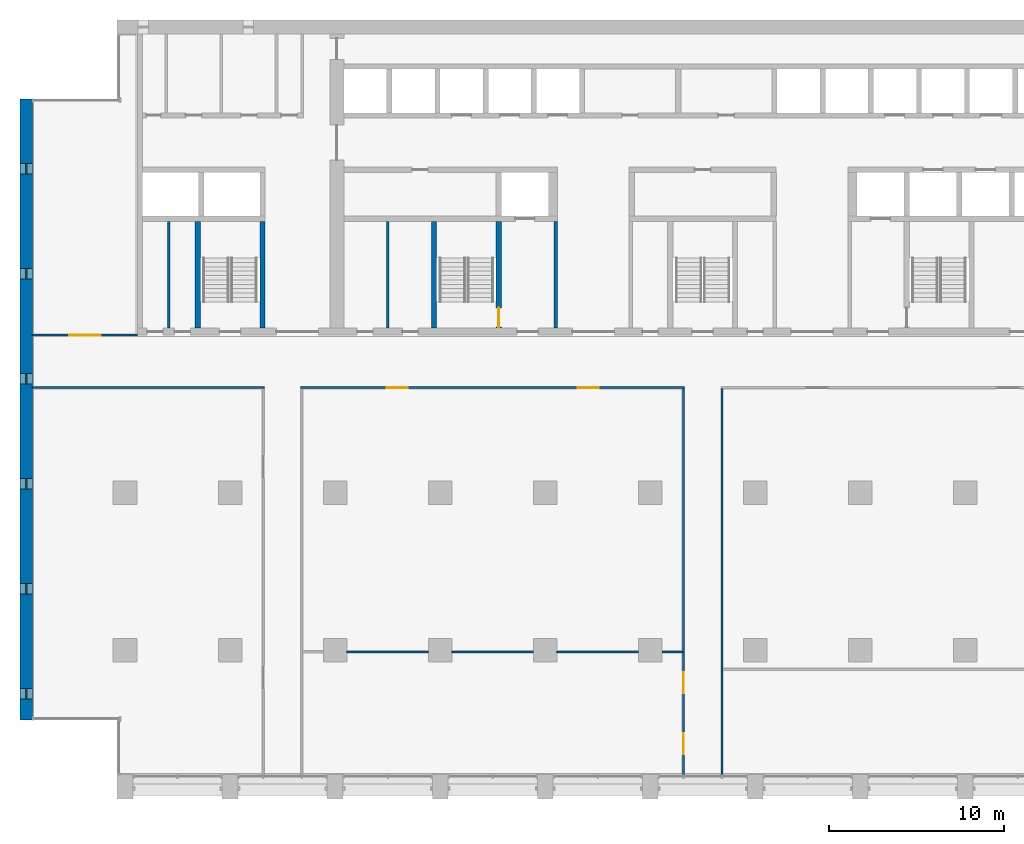
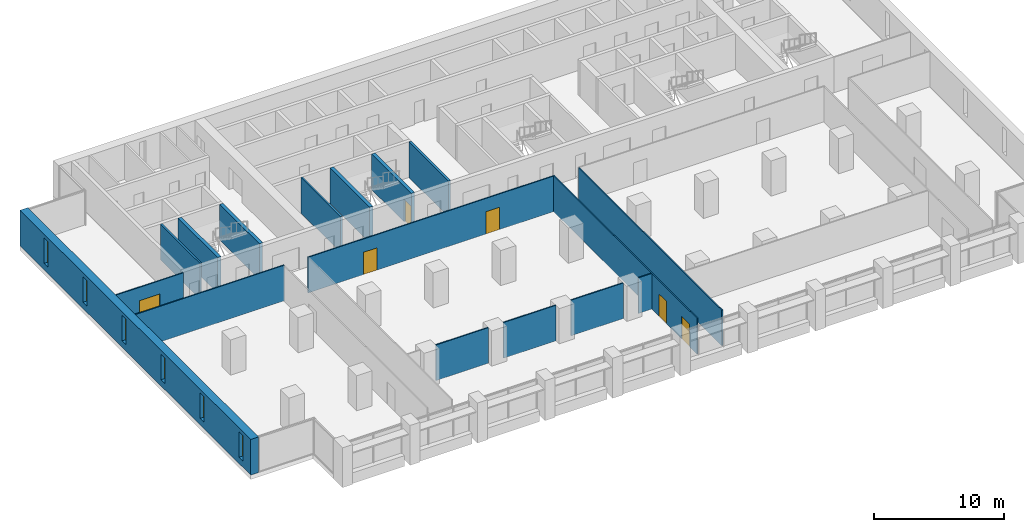
# One storey, part 8 of 15: 17 walls, 6 doors, 6 windows, 12 openings.
"""IFC4 building model written with IfcOpenShell, lengths in metres."""

from ifc_helpers import new_model, si_unit, direction, frame, frame_2d, origin, place, context, subcontext, project, spatial, rectangle, extrude, material, layer, layer_set, type_object, element, fill, save


model = new_model("IFC4")

# Units and contexts
model_context = context("Model", 3, precision=1e-05, world=origin(), true_north=direction((0.0, 1.0)))
body_context = subcontext(model_context, "Body", "Model", "MODEL_VIEW")
ifc_project = project(units=[si_unit("LENGTHUNIT", "METRE"), si_unit("AREAUNIT", "SQUARE_METRE"), si_unit("VOLUMEUNIT", "CUBIC_METRE"), si_unit("PLANEANGLEUNIT", "RADIAN"), si_unit("MASSUNIT", "GRAM", prefix="KILO")], contexts=[model_context])

# Site, building, storey
site_placement = place(None, origin())
site = spatial("IfcSite", under=ifc_project, at=site_placement, CompositionType="ELEMENT")
building_placement = place(site_placement, origin())
building = spatial("IfcBuilding", under=site, at=building_placement, Name="Calvaro Tower", CompositionType="ELEMENT")
storey_placement = place(building_placement, frame((0.0, 0.0, 117.5)))
storey = spatial("IfcBuildingStorey", under=building, at=storey_placement, Name="L29", CompositionType="ELEMENT", Elevation=117.5)

# Walls
ifc_material_1 = material(Name="Blockwork partition", Category="masonry")
ifc_layer_1 = layer(ifc_material_1, 0.14990234375)
ifc_layer_set_1 = layer_set([ifc_layer_1], Name="Blockwork partition")
wall_type_1 = type_object("IfcWallType", Name="Core partition 150 EI 60", PredefinedType="PARTITIONING", material=ifc_layer_set_1)
wall_1_placement = place(storey_placement, frame((21.0, 28.39990234375, 0.0), z_axis=(0.0, 0.0, 1.0), x_axis=(0.0, 1.0, 0.0)))
element("IfcWall", 1, at=wall_1_placement, inside=storey, type_object=wall_type_1, Name="Core partition", PredefinedType="PARTITIONING", context=body_context, shape_type="SweptSolid", body=[
    extrude(rectangle(XDim=6.10009765625, YDim=0.14990234375, at=frame_2d((3.050048828125, 0.0))), origin(), (0.0, 0.0, 1.0), 3.35009765625),
])
ifc_material_2 = material(Name="Blockwork partition", Category="masonry")
ifc_layer_2 = layer(ifc_material_2, 0.14990234375)
ifc_layer_set_2 = layer_set([ifc_layer_2], Name="Blockwork partition")
wall_type_2 = type_object("IfcWallType", Name="Core partition 150 REI 120", PredefinedType="PARTITIONING", material=ifc_layer_set_2)
wall_2_placement = place(storey_placement, frame((8.5, 28.39990234375, 0.0), z_axis=(0.0, 0.0, 1.0), x_axis=(0.0, 1.0, 0.0)))
element("IfcWall", 2, at=wall_2_placement, inside=storey, type_object=wall_type_2, Name="Core partition", PredefinedType="PARTITIONING", context=body_context, shape_type="SweptSolid", body=[
    extrude(rectangle(XDim=6.10009765625, YDim=0.14990234375, at=frame_2d((3.050048828125, 0.0))), origin(), (0.0, 0.0, 1.0), 3.35009765625),
])
ifc_material_3 = material(Name="Blockwork partition", Category="masonry")
ifc_layer_3 = layer(ifc_material_3, 0.199951171875)
ifc_layer_set_3 = layer_set([ifc_layer_3], Name="Blockwork partition")
wall_type_3 = type_object("IfcWallType", Name="Core partition 200 REI 120", PredefinedType="PARTITIONING", material=ifc_layer_set_3)
wall_3_placement = place(storey_placement, frame((30.60009765625, 28.39990234375, 0.0), z_axis=(0.0, 0.0, 1.0), x_axis=(0.0, 1.0, 0.0)))
element("IfcWall", 3, at=wall_3_placement, inside=storey, type_object=wall_type_3, Name="Core partition", PredefinedType="PARTITIONING", context=body_context, shape_type="SweptSolid", body=[
    extrude(rectangle(XDim=6.10009765625, YDim=0.199951171875, at=frame_2d((3.050048828125, 0.0))), origin(), (0.0, 0.0, 1.0), 3.35009765625),
])
ifc_material_4 = material(Name="Concrete C60/75", Category="concrete")
ifc_layer_4 = layer(ifc_material_4, 0.300048828125)
ifc_layer_set_4 = layer_set([ifc_layer_4], Name="Concrete C60/75")
wall_type_4 = type_object("IfcWallType", Name="Core wall C60/75 300", PredefinedType="SHEAR", material=ifc_layer_set_4)
for number, where, z_axis, x_axis, name in (
    (4, (10.14990234375, 28.39990234375, 0.0), (0.0, 0.0, 1.0), (0.0, 1.0, 0.0), "Core wall, stair enclosure"),
    (5, (13.85009765625, 28.39990234375, 0.0), (0.0, 0.0, 1.0), (0.0, 1.0, 0.0), "Core wall, stair enclosure"),
    (6, (23.64990234375, 28.39990234375, 0.0), (0.0, 0.0, 1.0), (0.0, 1.0, 0.0), "Core wall, stair enclosure"),
):
    element("IfcWall", number, at=place(storey_placement, frame(where, z_axis=z_axis, x_axis=x_axis)), inside=storey, type_object=wall_type_4, Name=name, PredefinedType="SHEAR", context=body_context, shape_type="SweptSolid", body=[
        extrude(rectangle(XDim=6.10009765625, YDim=0.300048828125, at=frame_2d((3.050048828125, 0.0))), origin(), (0.0, 0.0, 1.0), 3.35009765625),
    ])

# Wall, opening, door
wall_4_placement = place(storey_placement, frame((27.35009765625, 28.39990234375, 0.0), z_axis=(0.0, 0.0, 1.0), x_axis=(0.0, 1.0, 0.0)))
wall_4 = element("IfcWall", 7, at=wall_4_placement, inside=storey, type_object=wall_type_4, Name="Core wall, stair enclosure", PredefinedType="SHEAR", context=body_context, shape_type="SweptSolid", body=[
    extrude(rectangle(XDim=6.10009765625, YDim=0.300048828125, at=frame_2d((3.050048828125, 0.0))), origin(), (0.0, 0.0, 1.0), 3.35009765625),
])
opening_1_placement = place(wall_4_placement, frame((0.050048828125, 0.0, 0.0)))
opening_1 = element("IfcOpeningElement", 8, at=opening_1_placement, cuts=wall_4, Name="Opening FD11D", PredefinedType="OPENING", context=body_context, shape_type="SweptSolid", body=[
    extrude(rectangle(XDim=1.10009765625, YDim=2.10009765625, at=frame_2d((0.550048828125, 1.050048828125))), frame((0.0, 0.159912109375, 0.0), z_axis=(0.0, -1.0, 0.0), x_axis=(1.0, 0.0, 0.0)), (0.0, 0.0, 1.0), 0.320068359375),
])
ifc_material_5 = material(Name="Steel door set", Category="steel")
door_type_1 = type_object("IfcDoorType", Name="Fire door 1100 FD30S", OperationType="SINGLE_SWING_LEFT", PredefinedType="DOOR", material=ifc_material_5)
door_1_placement = place(opening_1_placement, origin())
door_1 = element("IfcDoor", 9, at=door_1_placement, inside=storey, type_object=door_type_1, Name="Fire door", OperationType="SINGLE_SWING_LEFT", OverallHeight=2.10009765625, OverallWidth=1.10009765625, PredefinedType="DOOR", context=body_context, shape_type="SweptSolid", body=[
    extrude(rectangle(XDim=1.10009765625, YDim=2.10009765625, at=frame_2d((0.550048828125, 1.050048828125))), frame((0.0, 0.02490234375, 0.0), z_axis=(0.0, -1.0, 0.0), x_axis=(1.0, 0.0, 0.0)), (0.0, 0.0, 1.0), 0.050048828125),
])
fill(opening_1, door_1)

# Wall, openings, windows
ifc_material_6 = material(Name="Concrete C60/75", Category="concrete")
ifc_layer_5 = layer(ifc_material_6, 0.699951171875)
ifc_layer_set_5 = layer_set([ifc_layer_5], Name="Concrete C60/75")
wall_type_5 = type_object("IfcWallType", Name="End wall 700 C60/75", PredefinedType="SHEAR", material=ifc_layer_set_5)
wall_5_placement = place(storey_placement, frame((0.35009765625, 6.0, 0.0), z_axis=(0.0, 0.0, 1.0), x_axis=(0.0, 1.0, 0.0)))
wall_5 = element("IfcWall", 10, at=wall_5_placement, inside=storey, type_object=wall_type_5, Name="End shear wall", PredefinedType="SHEAR", context=body_context, shape_type="SweptSolid", body=[
    extrude(rectangle(XDim=35.5, YDim=0.699951171875, at=frame_2d((17.75, 0.0))), origin(), (0.0, 0.0, 1.0), 3.35009765625),
])
opening_2_placement = place(wall_5_placement, frame((1.199951171875, 0.0, 0.60009765625)))
opening_2 = element("IfcOpeningElement", 11, at=opening_2_placement, cuts=wall_5, Name="Opening WW01", PredefinedType="OPENING", context=body_context, shape_type="SweptSolid", body=[
    extrude(rectangle(XDim=0.60009765625, YDim=2.39990234375, at=frame_2d((0.300048828125, 1.199951171875))), frame((0.0, 0.35986328125, 0.0), z_axis=(0.0, -1.0, 0.0), x_axis=(1.0, 0.0, 0.0)), (0.0, 0.0, 1.0), 0.719970703125),
])
opening_3_placement = place(wall_5_placement, frame((7.199951171875, 0.0, 0.60009765625)))
opening_3 = element("IfcOpeningElement", 12, at=opening_3_placement, cuts=wall_5, Name="Opening WW02", PredefinedType="OPENING", context=body_context, shape_type="SweptSolid", body=[
    extrude(rectangle(XDim=0.60009765625, YDim=2.39990234375, at=frame_2d((0.300048828125, 1.199951171875))), frame((0.0, 0.35986328125, 0.0), z_axis=(0.0, -1.0, 0.0), x_axis=(1.0, 0.0, 0.0)), (0.0, 0.0, 1.0), 0.719970703125),
])
opening_4_placement = place(wall_5_placement, frame((13.199951171875, 0.0, 0.60009765625)))
opening_4 = element("IfcOpeningElement", 13, at=opening_4_placement, cuts=wall_5, Name="Opening WW03", PredefinedType="OPENING", context=body_context, shape_type="SweptSolid", body=[
    extrude(rectangle(XDim=0.60009765625, YDim=2.39990234375, at=frame_2d((0.300048828125, 1.199951171875))), frame((0.0, 0.35986328125, 0.0), z_axis=(0.0, -1.0, 0.0), x_axis=(1.0, 0.0, 0.0)), (0.0, 0.0, 1.0), 0.719970703125),
])
opening_5_placement = place(wall_5_placement, frame((19.199951171875, 0.0, 0.60009765625)))
opening_5 = element("IfcOpeningElement", 14, at=opening_5_placement, cuts=wall_5, Name="Opening WW04", PredefinedType="OPENING", context=body_context, shape_type="SweptSolid", body=[
    extrude(rectangle(XDim=0.60009765625, YDim=2.39990234375, at=frame_2d((0.300048828125, 1.199951171875))), frame((0.0, 0.35986328125, 0.0), z_axis=(0.0, -1.0, 0.0), x_axis=(1.0, 0.0, 0.0)), (0.0, 0.0, 1.0), 0.719970703125),
])
opening_6_placement = place(wall_5_placement, frame((25.199951171875, 0.0, 0.60009765625)))
opening_6 = element("IfcOpeningElement", 15, at=opening_6_placement, cuts=wall_5, Name="Opening WW05", PredefinedType="OPENING", context=body_context, shape_type="SweptSolid", body=[
    extrude(rectangle(XDim=0.60009765625, YDim=2.39990234375, at=frame_2d((0.300048828125, 1.199951171875))), frame((0.0, 0.35986328125, 0.0), z_axis=(0.0, -1.0, 0.0), x_axis=(1.0, 0.0, 0.0)), (0.0, 0.0, 1.0), 0.719970703125),
])
opening_7_placement = place(wall_5_placement, frame((31.199951171875, 0.0, 0.60009765625)))
opening_7 = element("IfcOpeningElement", 16, at=opening_7_placement, cuts=wall_5, Name="Opening WW06", PredefinedType="OPENING", context=body_context, shape_type="SweptSolid", body=[
    extrude(rectangle(XDim=0.60009765625, YDim=2.39990234375, at=frame_2d((0.300048828125, 1.199951171875))), frame((0.0, 0.35986328125, 0.0), z_axis=(0.0, -1.0, 0.0), x_axis=(1.0, 0.0, 0.0)), (0.0, 0.0, 1.0), 0.719970703125),
])
ifc_material_7 = material(Name="Glass", Category="glass")
window_type = type_object("IfcWindowType", Name="Slit window 600 x 2400", PartitioningType="SINGLE_PANEL", PredefinedType="WINDOW", material=ifc_material_7)
window_1_placement = place(opening_2_placement, origin())
window_1 = element("IfcWindow", 17, at=window_1_placement, inside=storey, type_object=window_type, Name="Window WW01", OverallHeight=2.39990234375, OverallWidth=0.60009765625, PartitioningType="SINGLE_PANEL", PredefinedType="WINDOW", context=body_context, shape_type="SweptSolid", body=[
    extrude(rectangle(XDim=0.60009765625, YDim=2.39990234375, at=frame_2d((0.300048828125, 1.199951171875))), frame((0.0, 0.030029296875, 0.0), z_axis=(0.0, -1.0, 0.0), x_axis=(1.0, 0.0, 0.0)), (0.0, 0.0, 1.0), 0.06005859375),
])
fill(opening_2, window_1)
window_2_placement = place(opening_3_placement, origin())
window_2 = element("IfcWindow", 18, at=window_2_placement, inside=storey, type_object=window_type, Name="Window WW02", OverallHeight=2.39990234375, OverallWidth=0.60009765625, PartitioningType="SINGLE_PANEL", PredefinedType="WINDOW", context=body_context, shape_type="SweptSolid", body=[
    extrude(rectangle(XDim=0.60009765625, YDim=2.39990234375, at=frame_2d((0.300048828125, 1.199951171875))), frame((0.0, 0.030029296875, 0.0), z_axis=(0.0, -1.0, 0.0), x_axis=(1.0, 0.0, 0.0)), (0.0, 0.0, 1.0), 0.06005859375),
])
fill(opening_3, window_2)
window_3_placement = place(opening_4_placement, origin())
window_3 = element("IfcWindow", 19, at=window_3_placement, inside=storey, type_object=window_type, Name="Window WW03", OverallHeight=2.39990234375, OverallWidth=0.60009765625, PartitioningType="SINGLE_PANEL", PredefinedType="WINDOW", context=body_context, shape_type="SweptSolid", body=[
    extrude(rectangle(XDim=0.60009765625, YDim=2.39990234375, at=frame_2d((0.300048828125, 1.199951171875))), frame((0.0, 0.030029296875, 0.0), z_axis=(0.0, -1.0, 0.0), x_axis=(1.0, 0.0, 0.0)), (0.0, 0.0, 1.0), 0.06005859375),
])
fill(opening_4, window_3)
window_4_placement = place(opening_5_placement, origin())
window_4 = element("IfcWindow", 20, at=window_4_placement, inside=storey, type_object=window_type, Name="Window WW04", OverallHeight=2.39990234375, OverallWidth=0.60009765625, PartitioningType="SINGLE_PANEL", PredefinedType="WINDOW", context=body_context, shape_type="SweptSolid", body=[
    extrude(rectangle(XDim=0.60009765625, YDim=2.39990234375, at=frame_2d((0.300048828125, 1.199951171875))), frame((0.0, 0.030029296875, 0.0), z_axis=(0.0, -1.0, 0.0), x_axis=(1.0, 0.0, 0.0)), (0.0, 0.0, 1.0), 0.06005859375),
])
fill(opening_5, window_4)
window_5_placement = place(opening_6_placement, origin())
window_5 = element("IfcWindow", 21, at=window_5_placement, inside=storey, type_object=window_type, Name="Window WW05", OverallHeight=2.39990234375, OverallWidth=0.60009765625, PartitioningType="SINGLE_PANEL", PredefinedType="WINDOW", context=body_context, shape_type="SweptSolid", body=[
    extrude(rectangle(XDim=0.60009765625, YDim=2.39990234375, at=frame_2d((0.300048828125, 1.199951171875))), frame((0.0, 0.030029296875, 0.0), z_axis=(0.0, -1.0, 0.0), x_axis=(1.0, 0.0, 0.0)), (0.0, 0.0, 1.0), 0.06005859375),
])
fill(opening_6, window_5)
window_6_placement = place(opening_7_placement, origin())
window_6 = element("IfcWindow", 22, at=window_6_placement, inside=storey, type_object=window_type, Name="Window WW06", OverallHeight=2.39990234375, OverallWidth=0.60009765625, PartitioningType="SINGLE_PANEL", PredefinedType="WINDOW", context=body_context, shape_type="SweptSolid", body=[
    extrude(rectangle(XDim=0.60009765625, YDim=2.39990234375, at=frame_2d((0.300048828125, 1.199951171875))), frame((0.0, 0.030029296875, 0.0), z_axis=(0.0, -1.0, 0.0), x_axis=(1.0, 0.0, 0.0)), (0.0, 0.0, 1.0), 0.06005859375),
])
fill(opening_7, window_6)

# Walls
ifc_material_8 = material(Name="Plasterboard on steel studs", Category="steel")
ifc_layer_6 = layer(ifc_material_8, 0.10009765625)
ifc_layer_set_6 = layer_set([ifc_layer_6], Name="Plasterboard on steel studs")
wall_type_6 = type_object("IfcWallType", Name="Partition 100", PredefinedType="PARTITIONING", material=ifc_layer_set_6)
wall_6_placement = place(storey_placement, frame((36.675048828125, 9.89990234375, 0.0), z_axis=(0.0, 0.0, 1.0), x_axis=(1.0, 0.0, 0.0)))
element("IfcWall", 23, at=wall_6_placement, inside=storey, type_object=wall_type_6, Name="Partition T18.W002", PredefinedType="PARTITIONING", context=body_context, shape_type="SweptSolid", body=[
    extrude(rectangle(XDim=1.175048828125, YDim=0.10009765625, at=frame_2d((0.58740234375, 0.0))), origin(), (0.0, 0.0, 1.0), 3.35009765625),
])
for number, where, z_axis, x_axis, name in (
    (24, (30.675048828125, 9.89990234375, 0.0), (0.0, 0.0, 1.0), (1.0, 0.0, 0.0), "Partition T18.W003"),
    (25, (24.675048828125, 9.89990234375, 0.0), (0.0, 0.0, 1.0), (1.0, 0.0, 0.0), "Partition T18.W004"),
    (26, (18.675048828125, 9.89990234375, 0.0), (0.0, 0.0, 1.0), (1.0, 0.0, 0.0), "Partition T18.W005"),
):
    element("IfcWall", number, at=place(storey_placement, frame(where, z_axis=z_axis, x_axis=x_axis)), inside=storey, type_object=wall_type_6, Name=name, PredefinedType="PARTITIONING", context=body_context, shape_type="SweptSolid", body=[
        extrude(rectangle(XDim=4.64990234375, YDim=0.10009765625, at=frame_2d((2.324951171875, 0.0))), origin(), (0.0, 0.0, 1.0), 3.35009765625),
    ])
wall_7_placement = place(storey_placement, frame((0.699951171875, 25.0, 0.0), z_axis=(0.0, 0.0, 1.0), x_axis=(1.0, 0.0, 0.0)))
element("IfcWall", 27, at=wall_7_placement, inside=storey, type_object=wall_type_6, Name="Partition T18.W007", PredefinedType="PARTITIONING", context=body_context, shape_type="SweptSolid", body=[
    extrude(rectangle(XDim=13.25, YDim=0.10009765625, at=frame_2d((6.625, 0.0))), origin(), (0.0, 0.0, 1.0), 3.35009765625),
])

# Wall, openings, doors
wall_8_placement = place(storey_placement, frame((16.050048828125, 25.0, 0.0), z_axis=(0.0, 0.0, 1.0), x_axis=(1.0, 0.0, 0.0)))
wall_8 = element("IfcWall", 28, at=wall_8_placement, inside=storey, type_object=wall_type_6, Name="Partition T18.W008", PredefinedType="PARTITIONING", context=body_context, shape_type="SweptSolid", body=[
    extrude(rectangle(XDim=21.89990234375, YDim=0.10009765625, at=frame_2d((10.949951171875, 0.0))), origin(), (0.0, 0.0, 1.0), 3.35009765625),
])
opening_8_placement = place(wall_8_placement, frame((4.89990234375, 0.0, 0.0)))
opening_8 = element("IfcOpeningElement", 29, at=opening_8_placement, cuts=wall_8, Name="Opening T18.009", PredefinedType="OPENING", context=body_context, shape_type="SweptSolid", body=[
    extrude(rectangle(XDim=1.199951171875, YDim=2.10009765625, at=frame_2d((0.60009765625, 1.050048828125))), frame((0.0, 0.06005859375, 0.0), z_axis=(0.0, -1.0, 0.0), x_axis=(1.0, 0.0, 0.0)), (0.0, 0.0, 1.0), 0.1201171875),
])
opening_9_placement = place(wall_8_placement, frame((15.800048828125, 0.0, 0.0)))
opening_9 = element("IfcOpeningElement", 30, at=opening_9_placement, cuts=wall_8, Name="Opening T18.010", PredefinedType="OPENING", context=body_context, shape_type="SweptSolid", body=[
    extrude(rectangle(XDim=1.199951171875, YDim=2.10009765625, at=frame_2d((0.60009765625, 1.050048828125))), frame((0.0, 0.06005859375, 0.0), z_axis=(0.0, -1.0, 0.0), x_axis=(1.0, 0.0, 0.0)), (0.0, 0.0, 1.0), 0.1201171875),
])
ifc_material_9 = material(Name="Timber", Category="wood")
door_type_2 = type_object("IfcDoorType", Name="Internal single door 1200 x 2100", OperationType="SINGLE_SWING_LEFT", PredefinedType="DOOR", material=ifc_material_9)
door_2_placement = place(opening_8_placement, origin())
door_2 = element("IfcDoor", 31, at=door_2_placement, inside=storey, type_object=door_type_2, Name="Door T18.009", OperationType="SINGLE_SWING_LEFT", OverallHeight=2.10009765625, OverallWidth=1.199951171875, PredefinedType="DOOR", context=body_context, shape_type="SweptSolid", body=[
    extrude(rectangle(XDim=1.199951171875, YDim=2.10009765625, at=frame_2d((0.60009765625, 1.050048828125))), frame((0.0, 0.02490234375, 0.0), z_axis=(0.0, -1.0, 0.0), x_axis=(1.0, 0.0, 0.0)), (0.0, 0.0, 1.0), 0.050048828125),
])
fill(opening_8, door_2)
door_3_placement = place(opening_9_placement, origin())
door_3 = element("IfcDoor", 32, at=door_3_placement, inside=storey, type_object=door_type_2, Name="Door T18.010", OperationType="SINGLE_SWING_RIGHT", OverallHeight=2.10009765625, OverallWidth=1.199951171875, PredefinedType="DOOR", context=body_context, shape_type="SweptSolid", body=[
    extrude(rectangle(XDim=1.199951171875, YDim=2.10009765625, at=frame_2d((0.60009765625, 1.050048828125))), frame((0.0, 0.02490234375, 0.0), z_axis=(0.0, -1.0, 0.0), x_axis=(1.0, 0.0, 0.0)), (0.0, 0.0, 1.0), 0.050048828125),
])
fill(opening_9, door_3)

# Wall, opening, door
wall_9_placement = place(storey_placement, frame((0.699951171875, 28.0, 0.0), z_axis=(0.0, 0.0, 1.0), x_axis=(1.0, 0.0, 0.0)))
wall_9 = element("IfcWall", 33, at=wall_9_placement, inside=storey, type_object=wall_type_6, Name="Partition T18.W011", PredefinedType="PARTITIONING", context=body_context, shape_type="SweptSolid", body=[
    extrude(rectangle(XDim=6.0, YDim=0.10009765625, at=frame_2d((3.0, 0.0))), origin(), (0.0, 0.0, 1.0), 3.35009765625),
])
opening_10_placement = place(wall_9_placement, frame((2.10009765625, 0.0, 0.0)))
opening_10 = element("IfcOpeningElement", 34, at=opening_10_placement, cuts=wall_9, Name="Opening T18.011", PredefinedType="OPENING", context=body_context, shape_type="SweptSolid", body=[
    extrude(rectangle(XDim=1.800048828125, YDim=2.10009765625, at=frame_2d((0.89990234375, 1.050048828125))), frame((0.0, 0.06005859375, 0.0), z_axis=(0.0, -1.0, 0.0), x_axis=(1.0, 0.0, 0.0)), (0.0, 0.0, 1.0), 0.1201171875),
])
ifc_material_10 = material(Name="Timber", Category="wood")
door_type_3 = type_object("IfcDoorType", Name="Internal double door 1800 x 2100", OperationType="DOUBLE_DOOR_SINGLE_SWING", PredefinedType="DOOR", material=ifc_material_10)
door_4_placement = place(opening_10_placement, origin())
door_4 = element("IfcDoor", 35, at=door_4_placement, inside=storey, type_object=door_type_3, Name="Door T18.011", OperationType="DOUBLE_DOOR_SINGLE_SWING", OverallHeight=2.10009765625, OverallWidth=1.800048828125, PredefinedType="DOOR", context=body_context, shape_type="SweptSolid", body=[
    extrude(rectangle(XDim=1.800048828125, YDim=2.10009765625, at=frame_2d((0.89990234375, 1.050048828125))), frame((0.0, 0.02490234375, 0.0), z_axis=(0.0, -1.0, 0.0), x_axis=(1.0, 0.0, 0.0)), (0.0, 0.0, 1.0), 0.050048828125),
])
fill(opening_10, door_4)

# Wall, openings, doors
wall_10_placement = place(storey_placement, frame((37.89990234375, 2.89990234375, 0.0), z_axis=(0.0, 0.0, 1.0), x_axis=(0.0, 1.0, 0.0)))
wall_10 = element("IfcWall", 36, at=wall_10_placement, inside=storey, type_object=wall_type_6, Name="Partition T18.W015", PredefinedType="PARTITIONING", context=body_context, shape_type="SweptSolid", body=[
    extrude(rectangle(XDim=22.050048828125, YDim=0.10009765625, at=frame_2d((11.02490234375, 0.0))), origin(), (0.0, 0.0, 1.0), 3.35009765625),
])
opening_11_placement = place(wall_10_placement, frame((1.14990234375, 0.0, 0.0)))
opening_11 = element("IfcOpeningElement", 37, at=opening_11_placement, cuts=wall_10, Name="Opening T18.002", PredefinedType="OPENING", context=body_context, shape_type="SweptSolid", body=[
    extrude(rectangle(XDim=1.199951171875, YDim=2.10009765625, at=frame_2d((0.60009765625, 1.050048828125))), frame((0.0, 0.06005859375, 0.0), z_axis=(0.0, -1.0, 0.0), x_axis=(1.0, 0.0, 0.0)), (0.0, 0.0, 1.0), 0.1201171875),
])
opening_12_placement = place(wall_10_placement, frame((4.64990234375, 0.0, 0.0)))
opening_12 = element("IfcOpeningElement", 38, at=opening_12_placement, cuts=wall_10, Name="Opening T18.003", PredefinedType="OPENING", context=body_context, shape_type="SweptSolid", body=[
    extrude(rectangle(XDim=1.199951171875, YDim=2.10009765625, at=frame_2d((0.60009765625, 1.050048828125))), frame((0.0, 0.06005859375, 0.0), z_axis=(0.0, -1.0, 0.0), x_axis=(1.0, 0.0, 0.0)), (0.0, 0.0, 1.0), 0.1201171875),
])
door_5_placement = place(opening_11_placement, origin())
door_5 = element("IfcDoor", 39, at=door_5_placement, inside=storey, type_object=door_type_2, Name="Door T18.002", OperationType="SINGLE_SWING_LEFT", OverallHeight=2.10009765625, OverallWidth=1.199951171875, PredefinedType="DOOR", context=body_context, shape_type="SweptSolid", body=[
    extrude(rectangle(XDim=1.199951171875, YDim=2.10009765625, at=frame_2d((0.60009765625, 1.050048828125))), frame((0.0, 0.02490234375, 0.0), z_axis=(0.0, -1.0, 0.0), x_axis=(1.0, 0.0, 0.0)), (0.0, 0.0, 1.0), 0.050048828125),
])
fill(opening_11, door_5)
door_6_placement = place(opening_12_placement, origin())
door_6 = element("IfcDoor", 40, at=door_6_placement, inside=storey, type_object=door_type_2, Name="Door T18.003", OperationType="SINGLE_SWING_LEFT", OverallHeight=2.10009765625, OverallWidth=1.199951171875, PredefinedType="DOOR", context=body_context, shape_type="SweptSolid", body=[
    extrude(rectangle(XDim=1.199951171875, YDim=2.10009765625, at=frame_2d((0.60009765625, 1.050048828125))), frame((0.0, 0.02490234375, 0.0), z_axis=(0.0, -1.0, 0.0), x_axis=(1.0, 0.0, 0.0)), (0.0, 0.0, 1.0), 0.050048828125),
])
fill(opening_12, door_6)

# Wall
wall_11_placement = place(storey_placement, frame((40.10009765625, 2.89990234375, 0.0), z_axis=(0.0, 0.0, 1.0), x_axis=(0.0, 1.0, 0.0)))
element("IfcWall", 41, at=wall_11_placement, inside=storey, type_object=wall_type_6, Name="Partition T18.W016", PredefinedType="PARTITIONING", context=body_context, shape_type="SweptSolid", body=[
    extrude(rectangle(XDim=22.050048828125, YDim=0.10009765625, at=frame_2d((11.02490234375, 0.0))), origin(), (0.0, 0.0, 1.0), 3.35009765625),
])

save(model, "model.ifc")
